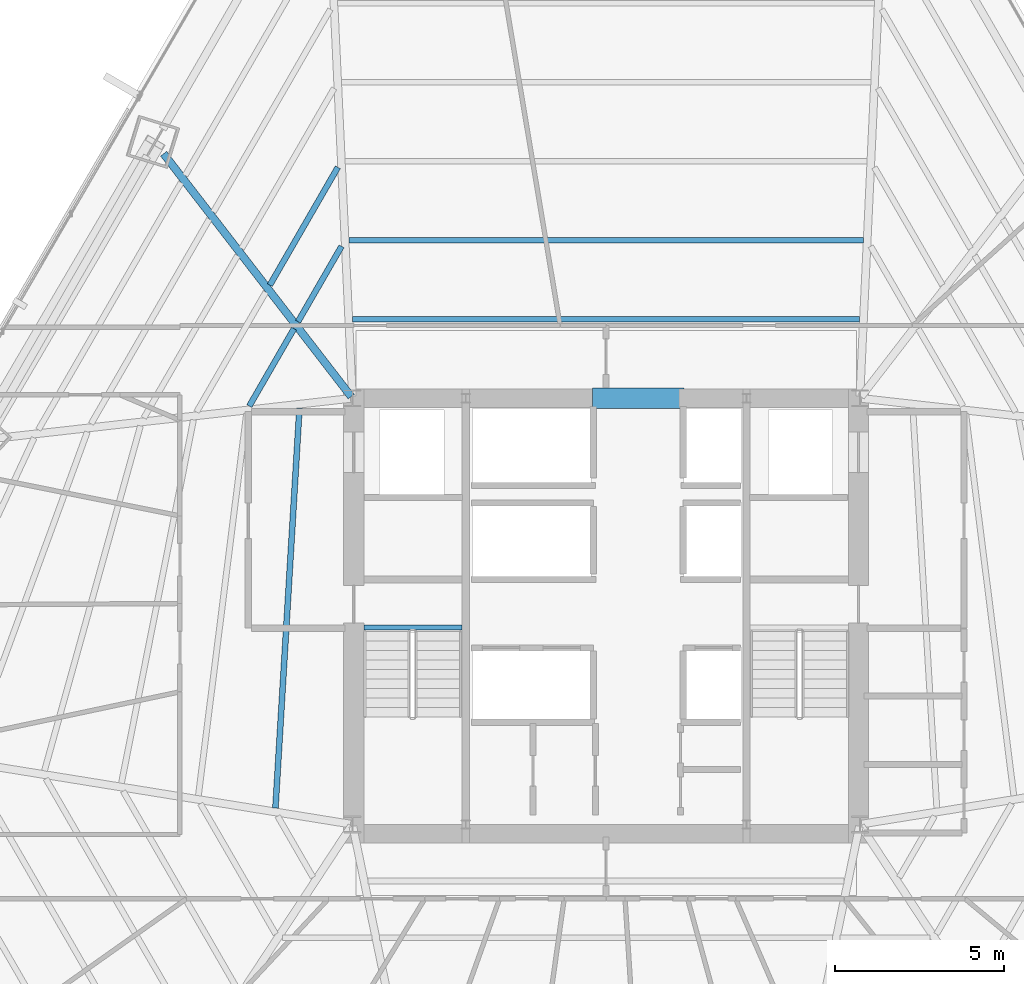
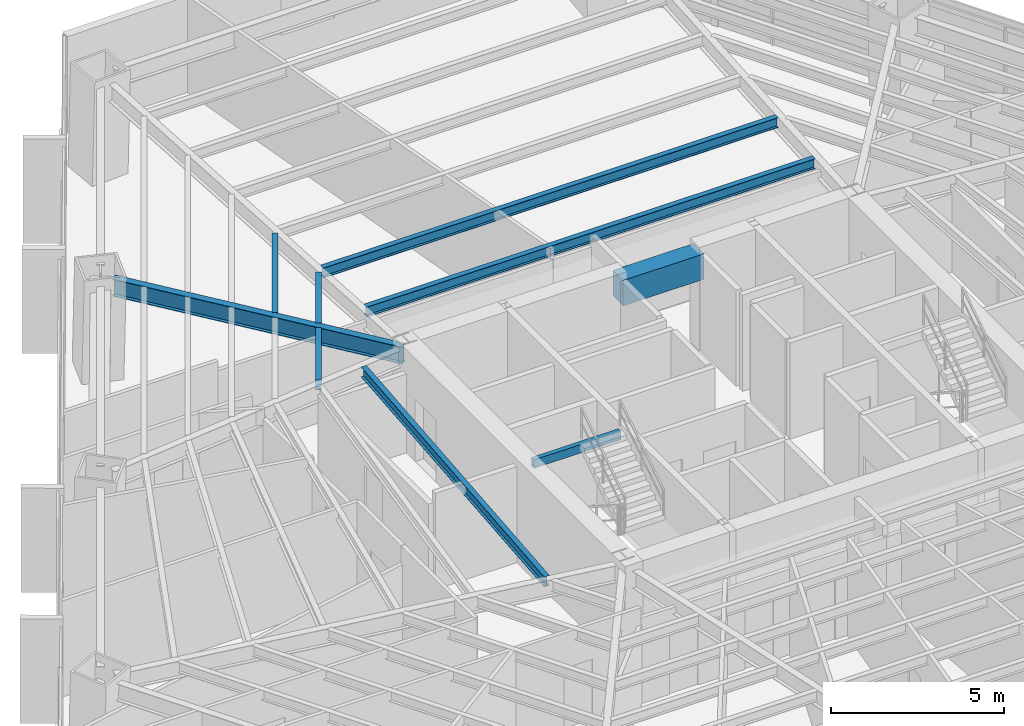
# One storey, part 15 of 38: 9 beams.
"""IFC4 building model written with IfcOpenShell, lengths in metres."""

from ifc_helpers import new_model, si_unit, direction, frame, origin, origin_2d, place, context, subcontext, project, spatial, rectangle, hollow_rectangle, i_section, extrude, source, transform, mapped, material, material_profile, profile_set, type_object, type_shapes, element, save


model = new_model("IFC4")

# Units and contexts
model_context = context("Model", 3, precision=1e-05, world=origin(), true_north=direction((0.0, 1.0)))
body_context = subcontext(model_context, "Body", "Model", "MODEL_VIEW")
ifc_project = project(units=[si_unit("LENGTHUNIT", "METRE"), si_unit("AREAUNIT", "SQUARE_METRE"), si_unit("VOLUMEUNIT", "CUBIC_METRE"), si_unit("PLANEANGLEUNIT", "RADIAN"), si_unit("MASSUNIT", "GRAM", prefix="KILO")], contexts=[model_context])

# Site, building, storey
site_placement = place(None, origin())
site = spatial("IfcSite", under=ifc_project, at=site_placement, CompositionType="ELEMENT")
building_placement = place(site_placement, origin())
building = spatial("IfcBuilding", under=site, at=building_placement, Name="Caelisora Broadcast Tower", CompositionType="ELEMENT")
storey_placement = place(building_placement, frame((0.0, 0.0, 67.75)))
storey = spatial("IfcBuildingStorey", under=building, at=storey_placement, Name="L17", CompositionType="ELEMENT", Elevation=67.75)

# Beams
ifc_material_1 = material(Name="Steel Grade 350 (AS/NZS 1163 C350L0)", Category="steel")
ifc_material_profile_1 = material_profile(ifc_material_1, hollow_rectangle(XDim=0.14990234375, YDim=0.300048828125, WallThickness=0.010009765625, at=origin_2d()), Name="Steel Grade 350 (AS/NZS 1163 C350L0)")
ifc_profile_set_1 = profile_set([ifc_material_profile_1], Name="Steel Grade 350 (AS/NZS 1163 C350L0)")
beam_type_1 = type_object("IfcBeamType", Name="SB05", PredefinedType="JOIST", material=ifc_profile_set_1)
shared_shape_1 = source(origin(), body_context, "Body", "SweptSolid", [
    extrude(hollow_rectangle(XDim=0.14990234375, YDim=0.300048828125, WallThickness=0.010009765625, at=origin_2d()), origin(), (0.0, 0.0, 1.0), 2.89990234375),
])
type_shapes(beam_type_1, [shared_shape_1])
beam_1_placement = place(storey_placement, frame((30.840087890625, 23.219970703125, 3.25), z_axis=(1.0, 0.0, 0.0), x_axis=(0.0, 1.0, 0.0)))
element("IfcBeam", 1, at=beam_1_placement, inside=storey, type_object=beam_type_1, Name="L17 beam SB05", PredefinedType="JOIST", context=body_context, shape_type="MappedRepresentation", body=[
    mapped(shared_shape_1, transform((0.0, 0.0, 0.0), scale=1.0)),
])
ifc_material_2 = material(Name="Concrete 50 MPa (AS 3600 S50)", Category="concrete")
ifc_material_profile_2 = material_profile(ifc_material_2, rectangle(XDim=0.60009765625, YDim=0.89990234375, at=origin_2d()), Name="Concrete 50 MPa (AS 3600 S50)")
ifc_profile_set_2 = profile_set([ifc_material_profile_2], Name="Concrete 50 MPa (AS 3600 S50)")
beam_type_2 = type_object("IfcBeamType", Name="CB02", PredefinedType="LINTEL", material=ifc_profile_set_2)
shared_shape_2 = source(origin(), body_context, "Body", "SweptSolid", [
    extrude(rectangle(XDim=0.60009765625, YDim=0.89990234375, at=origin_2d()), origin(), (0.0, 0.0, 1.0), 2.699951171875),
])
type_shapes(beam_type_2, [shared_shape_2])
beam_2_placement = place(storey_placement, frame((37.60009765625, 30.0, 2.949951171875), z_axis=(1.0, 0.0, 0.0), x_axis=(0.0, 1.0, 0.0)))
element("IfcBeam", 2, at=beam_2_placement, inside=storey, type_object=beam_type_2, Name="L17 beam CB02", PredefinedType="LINTEL", context=body_context, shape_type="MappedRepresentation", body=[
    mapped(shared_shape_2, transform((0.0, 0.0, 0.0), scale=1.0)),
])
ifc_material_3 = material(Name="Steel Grade 350 (AS/NZS 3679.1)", Category="steel")
ifc_material_profile_3 = material_profile(ifc_material_3, i_section(OverallWidth=0.172119140625, OverallDepth=0.358642578125, WebThickness=0.008056640625, FlangeThickness=0.012939453125, at=origin_2d()), Name="Steel Grade 350 (AS/NZS 3679.1)")
ifc_profile_set_3 = profile_set([ifc_material_profile_3], Name="Steel Grade 350 (AS/NZS 3679.1)")
beam_type_3 = type_object("IfcBeamType", Name="SB02", PredefinedType="JOIST", material=ifc_profile_set_3)
shared_shape_3 = source(origin(), body_context, "Body", "SweptSolid", [
    extrude(i_section(OverallWidth=0.172119140625, OverallDepth=0.358642578125, WebThickness=0.008056640625, FlangeThickness=0.012939453125, at=origin_2d()), origin(), (0.0, 0.0, 1.0), 4.02099609375),
])
beam_3_placement = place(storey_placement, frame((30.068115234375, 36.826416015625, 3.220703125), z_axis=(-0.500011526203, -0.866018749026, 0.0), x_axis=(0.866018749026, -0.500011526203, 0.0)))
element("IfcBeam", 3, at=beam_3_placement, inside=storey, type_object=beam_type_3, Name="L17 beam SB02", PredefinedType="JOIST", context=body_context, shape_type="MappedRepresentation", body=[
    mapped(shared_shape_3, transform((0.0, 0.0, 0.0), scale=1.0)),
])
ifc_material_profile_4 = material_profile(ifc_material_3, i_section(OverallWidth=0.22802734375, OverallDepth=0.602294921875, WebThickness=0.010498046875, FlangeThickness=0.014892578125, at=origin_2d()), Name="Steel Grade 350 (AS/NZS 3679.1)")
ifc_profile_set_4 = profile_set([ifc_material_profile_4], Name="Steel Grade 350 (AS/NZS 3679.1)")
beam_type_4 = type_object("IfcBeamType", Name="PG04", PredefinedType="BEAM", material=ifc_profile_set_4)
shared_shape_4 = source(origin(), body_context, "Body", "SweptSolid", [
    extrude(i_section(OverallWidth=0.22802734375, OverallDepth=0.602294921875, WebThickness=0.010498046875, FlangeThickness=0.014892578125, at=origin_2d()), origin(), (0.0, 0.0, 1.0), 9.07275390625),
])
type_shapes(beam_type_4, [shared_shape_4])
beam_4_placement = place(storey_placement, frame((30.46337890625, 30.047607421875, 3.098876953125), z_axis=(-0.611267510956, 0.791424051978, 0.0), x_axis=(-0.791424051978, -0.611267510956, 0.0)))
element("IfcBeam", 4, at=beam_4_placement, inside=storey, type_object=beam_type_4, Name="L17 beam PG04", PredefinedType="BEAM", context=body_context, shape_type="MappedRepresentation", body=[
    mapped(shared_shape_4, transform((0.0, 0.0, 0.0), scale=1.0)),
])
shared_shape_5 = source(origin(), body_context, "Body", "SweptSolid", [
    extrude(i_section(OverallWidth=0.172119140625, OverallDepth=0.358642578125, WebThickness=0.008056640625, FlangeThickness=0.012939453125, at=origin_2d()), origin(), (0.0, 0.0, 1.0), 14.99658203125),
])
beam_5_placement = place(storey_placement, frame((45.498291015625, 32.335693359375, 3.220703125), z_axis=(-1.0, 0.0, 0.0), x_axis=(0.0, -1.0, 0.0)))
element("IfcBeam", 5, at=beam_5_placement, inside=storey, type_object=beam_type_3, Name="L17 beam SB02", PredefinedType="JOIST", context=body_context, shape_type="MappedRepresentation", body=[
    mapped(shared_shape_5, transform((0.0, 0.0, 0.0), scale=1.0)),
])
shared_shape_6 = source(origin(), body_context, "Body", "SweptSolid", [
    extrude(i_section(OverallWidth=0.172119140625, OverallDepth=0.358642578125, WebThickness=0.008056640625, FlangeThickness=0.012939453125, at=origin_2d()), origin(), (0.0, 0.0, 1.0), 15.21484375),
])
beam_6_placement = place(storey_placement, frame((45.607421875, 34.671142578125, 3.220703125), z_axis=(-1.0, 0.0, 0.0), x_axis=(0.0, -1.0, 0.0)))
element("IfcBeam", 6, at=beam_6_placement, inside=storey, type_object=beam_type_3, Name="L17 beam SB02", PredefinedType="JOIST", context=body_context, shape_type="MappedRepresentation", body=[
    mapped(shared_shape_6, transform((0.0, 0.0, 0.0), scale=1.0)),
])
shared_shape_7 = source(origin(), body_context, "Body", "SweptSolid", [
    extrude(i_section(OverallWidth=0.172119140625, OverallDepth=0.358642578125, WebThickness=0.008056640625, FlangeThickness=0.012939453125, at=origin_2d()), origin(), (0.0, 0.0, 1.0), 2.5712890625),
])
beam_7_placement = place(storey_placement, frame((30.17724609375, 34.490966796875, 3.220703125), z_axis=(-0.499999159329, -0.866025889145, 0.0), x_axis=(0.866025889145, -0.499999159329, 0.0)))
element("IfcBeam", 7, at=beam_7_placement, inside=storey, type_object=beam_type_3, Name="L17 beam SB02", PredefinedType="JOIST", context=body_context, shape_type="MappedRepresentation", body=[
    mapped(shared_shape_7, transform((0.0, 0.0, 0.0), scale=1.0)),
])
shared_shape_8 = source(origin(), body_context, "Body", "SweptSolid", [
    extrude(i_section(OverallWidth=0.172119140625, OverallDepth=0.358642578125, WebThickness=0.008056640625, FlangeThickness=0.012939453125, at=origin_2d()), origin(), (0.0, 0.0, 1.0), 2.640380859375),
])
beam_8_placement = place(storey_placement, frame((28.771484375, 32.055908203125, 3.220703125), z_axis=(-0.50003726508, -0.866003887711, 0.0), x_axis=(0.866003887711, -0.50003726508, 0.0)))
element("IfcBeam", 8, at=beam_8_placement, inside=storey, type_object=beam_type_3, Name="L17 beam SB02", PredefinedType="JOIST", context=body_context, shape_type="MappedRepresentation", body=[
    mapped(shared_shape_8, transform((0.0, 0.0, 0.0), scale=1.0)),
])
shared_shape_9 = source(origin(), body_context, "Body", "SweptSolid", [
    extrude(i_section(OverallWidth=0.172119140625, OverallDepth=0.358642578125, WebThickness=0.008056640625, FlangeThickness=0.012939453125, at=origin_2d()), origin(), (0.0, 0.0, 1.0), 11.852783203125),
])
type_shapes(beam_type_3, [shared_shape_3, shared_shape_5, shared_shape_6, shared_shape_7, shared_shape_8, shared_shape_9])
beam_9_placement = place(storey_placement, frame((28.93408203125, 29.712158203125, 3.220703125), z_axis=(-0.060000655311, -0.998198337688, 0.0), x_axis=(0.998198337688, -0.060000655311, 0.0)))
element("IfcBeam", 9, at=beam_9_placement, inside=storey, type_object=beam_type_3, Name="L17 beam SB02", PredefinedType="JOIST", context=body_context, shape_type="MappedRepresentation", body=[
    mapped(shared_shape_9, transform((0.0, 0.0, 0.0), scale=1.0)),
])

save(model, "model.ifc")
